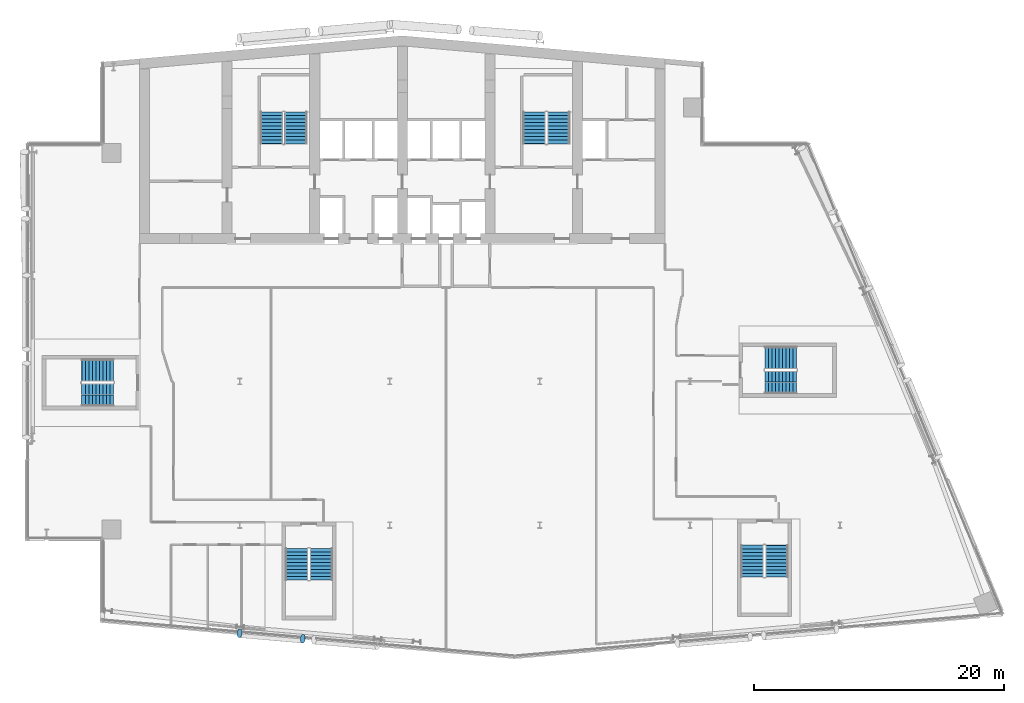
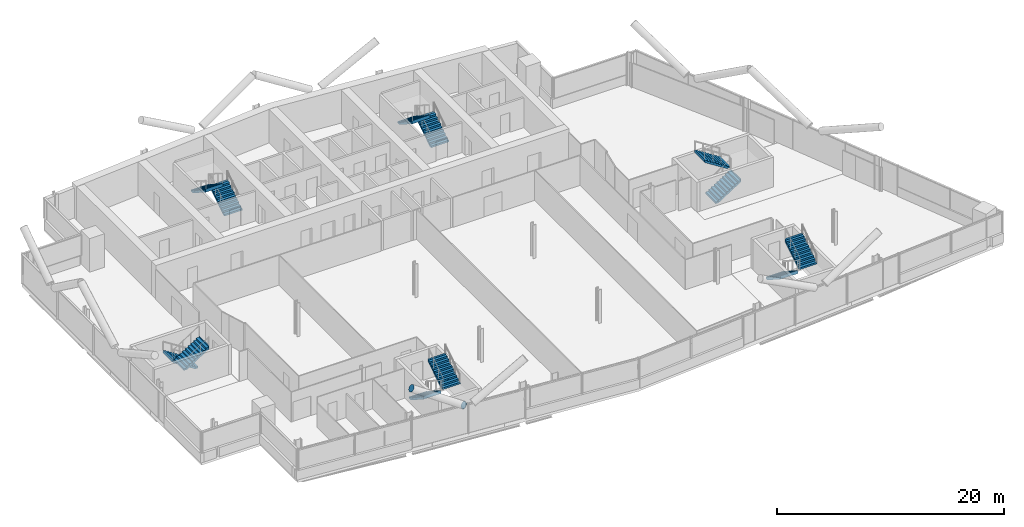
# One storey, part 19 of 26: 12 stair flights, 2 discrete accessories, 6 elements without a shape of their own.
"""IFC4 building model written with IfcOpenShell, lengths in metres."""

from ifc_helpers import new_model, si_unit, direction, frame, origin, origin_2d, place, context, subcontext, project, spatial, polyline, circle, outline, extrude, material, material_profile, profile_set, type_object, element, aggregate, save


model = new_model("IFC4")

# Units and contexts
model_context = context("Model", 3, precision=1e-05, world=origin(), true_north=direction((0.0, 1.0)))
body_context = subcontext(model_context, "Body", "Model", "MODEL_VIEW")
ifc_project = project(units=[si_unit("LENGTHUNIT", "METRE"), si_unit("AREAUNIT", "SQUARE_METRE"), si_unit("VOLUMEUNIT", "CUBIC_METRE"), si_unit("PLANEANGLEUNIT", "RADIAN"), si_unit("MASSUNIT", "GRAM", prefix="KILO")], contexts=[model_context])

# Site, building, storey
site_placement = place(None, origin())
site = spatial("IfcSite", under=ifc_project, at=site_placement, CompositionType="ELEMENT")
building_placement = place(site_placement, origin())
building = spatial("IfcBuilding", under=site, at=building_placement, Name="Wharfspan Tower", CompositionType="ELEMENT")
storey_placement = place(building_placement, frame((0.0, 0.0, 180.699951)))
storey = spatial("IfcBuildingStorey", under=building, at=storey_placement, Name="L44", CompositionType="ELEMENT", Elevation=180.699951)

# Stair, stair flights
ifc_material_1 = material(Name="Concrete C40/50", Category="concrete")
stair_type = type_object("IfcStairType", Name="Half-turn stair 20 risers 180 mm", PredefinedType="HALF_TURN_STAIR", material=ifc_material_1)
stair_1_placement = place(storey_placement, origin())
stair_1 = element("IfcStair", 1, at=stair_1_placement, inside=storey, type_object=stair_type, Name="L44 stair ST1", PredefinedType="HALF_TURN_STAIR")
stair_flight_type = type_object("IfcStairFlightType", Name="Stair flight 20 risers 180 mm", PredefinedType="STRAIGHT", material=ifc_material_1)
stair_flight_1_placement = place(storey_placement, frame((28.5, 42.0, 0.0), z_axis=(0.0, 0.0, 1.0), x_axis=(0.0, 1.0, 0.0)))
stair_flight_1 = element("IfcStairFlight", 2, at=stair_flight_1_placement, type_object=stair_flight_type, Name="ST1 flight 1", NumberOfRisers=10, NumberOfTreads=9, PredefinedType="STRAIGHT", RiserHeight=0.18, TreadLength=0.28, context=body_context, shape_type="SweptSolid", body=[
    extrude(outline(polyline([(-0.011963, 0.0), (-0.011963, 0.179932), (0.0, 0.179932), (0.280029, 0.179932), (0.280029, 0.360107), (0.560059, 0.360107), (0.560059, 0.540039), (0.840088, 0.540039), (0.840088, 0.719971), (1.120117, 0.719971), (1.120117, 0.899902), (1.399902, 0.899902), (1.399902, 1.080078), (1.679932, 1.080078), (1.679932, 1.26001), (1.959961, 1.26001), (1.959961, 1.439941), (2.23999, 1.439941), (2.23999, 1.620117), (2.52002, 1.620117), (2.531982, 1.800049), (2.531982, 1.441895), (0.2771, 0.0), (-0.011963, 0.0)])), frame((0.0, 0.899902, 0.0), z_axis=(0.0, -1.0, 0.0), x_axis=(1.0, 0.0, 0.0)), (0.0, 0.0, 1.0), 0.899414),
    extrude(outline(polyline([(-0.011963, 0.0), (-0.011963, 0.179932), (0.0, 0.179932), (0.280029, 0.179932), (0.280029, 0.360107), (0.560059, 0.360107), (0.560059, 0.540039), (0.840088, 0.540039), (0.840088, 0.719971), (1.120117, 0.719971), (1.120117, 0.899902), (1.399902, 0.899902), (1.399902, 1.080078), (1.679932, 1.080078), (1.679932, 1.26001), (1.959961, 1.26001), (1.959961, 1.439941), (2.23999, 1.439941), (2.23999, 1.620117), (2.52002, 1.620117), (2.531982, 1.800049), (2.531982, 1.441895), (0.2771, 0.0), (-0.011963, 0.0)])), frame((0.0, -0.000488, 0.0), z_axis=(0.0, -1.0, 0.0), x_axis=(1.0, 0.0, 0.0)), (0.0, 0.0, 1.0), 0.899414),
])
stair_flight_2_placement = place(storey_placement, frame((26.550049, 44.52002, 1.800049), z_axis=(0.0, 0.0, 1.0), x_axis=(0.0, -1.0, 0.0)))
stair_flight_2 = element("IfcStairFlight", 3, at=stair_flight_2_placement, type_object=stair_flight_type, Name="ST1 flight 2", NumberOfRisers=10, NumberOfTreads=9, PredefinedType="STRAIGHT", RiserHeight=0.18, TreadLength=0.28, context=body_context, shape_type="SweptSolid", body=[
    extrude(outline(polyline([(-0.011963, 0.0), (-0.011963, 0.179932), (0.0, 0.179932), (0.280029, 0.179932), (0.280029, 0.360107), (0.560059, 0.360107), (0.560059, 0.540039), (0.840088, 0.540039), (0.840088, 0.719971), (1.120117, 0.719971), (1.120117, 0.899902), (1.399902, 0.899902), (1.399902, 1.080078), (1.679932, 1.080078), (1.679932, 1.26001), (1.959961, 1.26001), (1.959961, 1.439941), (2.23999, 1.439941), (2.23999, 1.620117), (2.52002, 1.620117), (2.531982, 1.800049), (2.531982, 1.441895), (0.2771, 0.0), (-0.011963, 0.0)])), frame((0.0, 0.899902, 0.0), z_axis=(0.0, -1.0, 0.0), x_axis=(1.0, 0.0, 0.0)), (0.0, 0.0, 1.0), 0.899414),
    extrude(outline(polyline([(-0.011963, 0.0), (-0.011963, 0.179932), (0.0, 0.179932), (0.280029, 0.179932), (0.280029, 0.360107), (0.560059, 0.360107), (0.560059, 0.540039), (0.840088, 0.540039), (0.840088, 0.719971), (1.120117, 0.719971), (1.120117, 0.899902), (1.399902, 0.899902), (1.399902, 1.080078), (1.679932, 1.080078), (1.679932, 1.26001), (1.959961, 1.26001), (1.959961, 1.439941), (2.23999, 1.439941), (2.23999, 1.620117), (2.52002, 1.620117), (2.531982, 1.800049), (2.531982, 1.441895), (0.2771, 0.0), (-0.011963, 0.0)])), frame((0.0, -0.000488, 0.0), z_axis=(0.0, -1.0, 0.0), x_axis=(1.0, 0.0, 0.0)), (0.0, 0.0, 1.0), 0.899414),
])
aggregate(stair_1, [stair_flight_1, stair_flight_2])

stair_2_placement = place(storey_placement, origin())
stair_2 = element("IfcStair", 4, at=stair_2_placement, inside=storey, type_object=stair_type, Name="L44 stair ST2", PredefinedType="HALF_TURN_STAIR")
stair_flight_3_placement = place(storey_placement, frame((49.5, 42.0, 0.0), z_axis=(0.0, 0.0, 1.0), x_axis=(0.0, 1.0, 0.0)))
stair_flight_3 = element("IfcStairFlight", 5, at=stair_flight_3_placement, type_object=stair_flight_type, Name="ST2 flight 1", NumberOfRisers=10, NumberOfTreads=9, PredefinedType="STRAIGHT", RiserHeight=0.18, TreadLength=0.28, context=body_context, shape_type="SweptSolid", body=[
    extrude(outline(polyline([(-0.011963, 0.0), (-0.011963, 0.179932), (0.0, 0.179932), (0.280029, 0.179932), (0.280029, 0.360107), (0.560059, 0.360107), (0.560059, 0.540039), (0.840088, 0.540039), (0.840088, 0.719971), (1.120117, 0.719971), (1.120117, 0.899902), (1.399902, 0.899902), (1.399902, 1.080078), (1.679932, 1.080078), (1.679932, 1.26001), (1.959961, 1.26001), (1.959961, 1.439941), (2.23999, 1.439941), (2.23999, 1.620117), (2.52002, 1.620117), (2.531982, 1.800049), (2.531982, 1.441895), (0.2771, 0.0), (-0.011963, 0.0)])), frame((0.0, 0.899902, 0.0), z_axis=(0.0, -1.0, 0.0), x_axis=(1.0, 0.0, 0.0)), (0.0, 0.0, 1.0), 0.899414),
    extrude(outline(polyline([(-0.011963, 0.0), (-0.011963, 0.179932), (0.0, 0.179932), (0.280029, 0.179932), (0.280029, 0.360107), (0.560059, 0.360107), (0.560059, 0.540039), (0.840088, 0.540039), (0.840088, 0.719971), (1.120117, 0.719971), (1.120117, 0.899902), (1.399902, 0.899902), (1.399902, 1.080078), (1.679932, 1.080078), (1.679932, 1.26001), (1.959961, 1.26001), (1.959961, 1.439941), (2.23999, 1.439941), (2.23999, 1.620117), (2.52002, 1.620117), (2.531982, 1.800049), (2.531982, 1.441895), (0.2771, 0.0), (-0.011963, 0.0)])), frame((0.0, -0.000488, 0.0), z_axis=(0.0, -1.0, 0.0), x_axis=(1.0, 0.0, 0.0)), (0.0, 0.0, 1.0), 0.899414),
])
stair_flight_4_placement = place(storey_placement, frame((47.550049, 44.52002, 1.800049), z_axis=(0.0, 0.0, 1.0), x_axis=(0.0, -1.0, 0.0)))
stair_flight_4 = element("IfcStairFlight", 6, at=stair_flight_4_placement, type_object=stair_flight_type, Name="ST2 flight 2", NumberOfRisers=10, NumberOfTreads=9, PredefinedType="STRAIGHT", RiserHeight=0.18, TreadLength=0.28, context=body_context, shape_type="SweptSolid", body=[
    extrude(outline(polyline([(-0.011963, 0.0), (-0.011963, 0.179932), (0.0, 0.179932), (0.280029, 0.179932), (0.280029, 0.360107), (0.560059, 0.360107), (0.560059, 0.540039), (0.840088, 0.540039), (0.840088, 0.719971), (1.120117, 0.719971), (1.120117, 0.899902), (1.399902, 0.899902), (1.399902, 1.080078), (1.679932, 1.080078), (1.679932, 1.26001), (1.959961, 1.26001), (1.959961, 1.439941), (2.23999, 1.439941), (2.23999, 1.620117), (2.52002, 1.620117), (2.531982, 1.800049), (2.531982, 1.441895), (0.2771, 0.0), (-0.011963, 0.0)])), frame((0.0, 0.899902, 0.0), z_axis=(0.0, -1.0, 0.0), x_axis=(1.0, 0.0, 0.0)), (0.0, 0.0, 1.0), 0.899414),
    extrude(outline(polyline([(-0.011963, 0.0), (-0.011963, 0.179932), (0.0, 0.179932), (0.280029, 0.179932), (0.280029, 0.360107), (0.560059, 0.360107), (0.560059, 0.540039), (0.840088, 0.540039), (0.840088, 0.719971), (1.120117, 0.719971), (1.120117, 0.899902), (1.399902, 0.899902), (1.399902, 1.080078), (1.679932, 1.080078), (1.679932, 1.26001), (1.959961, 1.26001), (1.959961, 1.439941), (2.23999, 1.439941), (2.23999, 1.620117), (2.52002, 1.620117), (2.531982, 1.800049), (2.531982, 1.441895), (0.2771, 0.0), (-0.011963, 0.0)])), frame((0.0, -0.000488, 0.0), z_axis=(0.0, -1.0, 0.0), x_axis=(1.0, 0.0, 0.0)), (0.0, 0.0, 1.0), 0.899414),
])
aggregate(stair_2, [stair_flight_3, stair_flight_4])

stair_3_placement = place(storey_placement, origin())
stair_3 = element("IfcStair", 7, at=stair_3_placement, inside=storey, type_object=stair_type, Name="L44 stair ST3", PredefinedType="HALF_TURN_STAIR")
stair_flight_5_placement = place(storey_placement, frame((13.899902, 23.875, 0.0), z_axis=(0.0, 0.0, 1.0), x_axis=(-1.0, 0.0, 0.0)))
stair_flight_5 = element("IfcStairFlight", 8, at=stair_flight_5_placement, type_object=stair_flight_type, Name="ST3 flight 1", NumberOfRisers=10, NumberOfTreads=9, PredefinedType="STRAIGHT", RiserHeight=0.18, TreadLength=0.28, context=body_context, shape_type="SweptSolid", body=[
    extrude(outline(polyline([(-0.011963, 0.0), (-0.011963, 0.179932), (0.0, 0.179932), (0.280029, 0.179932), (0.280029, 0.360107), (0.560059, 0.360107), (0.560059, 0.540039), (0.840088, 0.540039), (0.840088, 0.719971), (1.120117, 0.719971), (1.120117, 0.899902), (1.399902, 0.899902), (1.399902, 1.080078), (1.679932, 1.080078), (1.679932, 1.26001), (1.959961, 1.26001), (1.959961, 1.439941), (2.23999, 1.439941), (2.23999, 1.620117), (2.52002, 1.620117), (2.531982, 1.800049), (2.531982, 1.441895), (0.2771, 0.0), (-0.011963, 0.0)])), frame((0.0, 0.899902, 0.0), z_axis=(0.0, -1.0, 0.0), x_axis=(1.0, 0.0, 0.0)), (0.0, 0.0, 1.0), 0.899414),
    extrude(outline(polyline([(-0.011963, 0.0), (-0.011963, 0.179932), (0.0, 0.179932), (0.280029, 0.179932), (0.280029, 0.360107), (0.560059, 0.360107), (0.560059, 0.540039), (0.840088, 0.540039), (0.840088, 0.719971), (1.120117, 0.719971), (1.120117, 0.899902), (1.399902, 0.899902), (1.399902, 1.080078), (1.679932, 1.080078), (1.679932, 1.26001), (1.959961, 1.26001), (1.959961, 1.439941), (2.23999, 1.439941), (2.23999, 1.620117), (2.52002, 1.620117), (2.531982, 1.800049), (2.531982, 1.441895), (0.2771, 0.0), (-0.011963, 0.0)])), frame((0.0, -0.000488, 0.0), z_axis=(0.0, -1.0, 0.0), x_axis=(1.0, 0.0, 0.0)), (0.0, 0.0, 1.0), 0.899414),
])
stair_flight_6_placement = place(storey_placement, frame((11.379883, 21.925049, 1.800049), z_axis=(0.0, 0.0, 1.0), x_axis=(1.0, 0.0, 0.0)))
stair_flight_6 = element("IfcStairFlight", 9, at=stair_flight_6_placement, type_object=stair_flight_type, Name="ST3 flight 2", NumberOfRisers=10, NumberOfTreads=9, PredefinedType="STRAIGHT", RiserHeight=0.18, TreadLength=0.28, context=body_context, shape_type="SweptSolid", body=[
    extrude(outline(polyline([(-0.011963, 0.0), (-0.011963, 0.179932), (0.0, 0.179932), (0.280029, 0.179932), (0.280029, 0.360107), (0.560059, 0.360107), (0.560059, 0.540039), (0.840088, 0.540039), (0.840088, 0.719971), (1.120117, 0.719971), (1.120117, 0.899902), (1.399902, 0.899902), (1.399902, 1.080078), (1.679932, 1.080078), (1.679932, 1.26001), (1.959961, 1.26001), (1.959961, 1.439941), (2.23999, 1.439941), (2.23999, 1.620117), (2.52002, 1.620117), (2.531982, 1.800049), (2.531982, 1.441895), (0.2771, 0.0), (-0.011963, 0.0)])), frame((0.0, 0.899902, 0.0), z_axis=(0.0, -1.0, 0.0), x_axis=(1.0, 0.0, 0.0)), (0.0, 0.0, 1.0), 0.899414),
    extrude(outline(polyline([(-0.011963, 0.0), (-0.011963, 0.179932), (0.0, 0.179932), (0.280029, 0.179932), (0.280029, 0.360107), (0.560059, 0.360107), (0.560059, 0.540039), (0.840088, 0.540039), (0.840088, 0.719971), (1.120117, 0.719971), (1.120117, 0.899902), (1.399902, 0.899902), (1.399902, 1.080078), (1.679932, 1.080078), (1.679932, 1.26001), (1.959961, 1.26001), (1.959961, 1.439941), (2.23999, 1.439941), (2.23999, 1.620117), (2.52002, 1.620117), (2.531982, 1.800049), (2.531982, 1.441895), (0.2771, 0.0), (-0.011963, 0.0)])), frame((0.0, -0.000488, 0.0), z_axis=(0.0, -1.0, 0.0), x_axis=(1.0, 0.0, 0.0)), (0.0, 0.0, 1.0), 0.899414),
])
aggregate(stair_3, [stair_flight_5, stair_flight_6])

stair_4_placement = place(storey_placement, origin())
stair_4 = element("IfcStair", 10, at=stair_4_placement, inside=storey, type_object=stair_type, Name="L44 stair ST4", PredefinedType="HALF_TURN_STAIR")
stair_flight_7_placement = place(storey_placement, frame((28.564209, 9.634277, 0.0), z_axis=(0.0, 0.0, 1.0), x_axis=(0.0, -1.0, 0.0)))
stair_flight_7 = element("IfcStairFlight", 11, at=stair_flight_7_placement, type_object=stair_flight_type, Name="ST4 flight 1", NumberOfRisers=10, NumberOfTreads=9, PredefinedType="STRAIGHT", RiserHeight=0.18, TreadLength=0.28, context=body_context, shape_type="SweptSolid", body=[
    extrude(outline(polyline([(-0.011963, 0.0), (-0.011963, 0.179932), (0.0, 0.179932), (0.280029, 0.179932), (0.280029, 0.360107), (0.560059, 0.360107), (0.560059, 0.540039), (0.840088, 0.540039), (0.840088, 0.719971), (1.120117, 0.719971), (1.120117, 0.899902), (1.399902, 0.899902), (1.399902, 1.080078), (1.679932, 1.080078), (1.679932, 1.26001), (1.959961, 1.26001), (1.959961, 1.439941), (2.23999, 1.439941), (2.23999, 1.620117), (2.52002, 1.620117), (2.531982, 1.800049), (2.531982, 1.441895), (0.2771, 0.0), (-0.011963, 0.0)])), frame((0.0, 0.899902, 0.0), z_axis=(0.0, -1.0, 0.0), x_axis=(1.0, 0.0, 0.0)), (0.0, 0.0, 1.0), 0.899414),
    extrude(outline(polyline([(-0.011963, 0.0), (-0.011963, 0.179932), (0.0, 0.179932), (0.280029, 0.179932), (0.280029, 0.360107), (0.560059, 0.360107), (0.560059, 0.540039), (0.840088, 0.540039), (0.840088, 0.719971), (1.120117, 0.719971), (1.120117, 0.899902), (1.399902, 0.899902), (1.399902, 1.080078), (1.679932, 1.080078), (1.679932, 1.26001), (1.959961, 1.26001), (1.959961, 1.439941), (2.23999, 1.439941), (2.23999, 1.620117), (2.52002, 1.620117), (2.531982, 1.800049), (2.531982, 1.441895), (0.2771, 0.0), (-0.011963, 0.0)])), frame((0.0, -0.000488, 0.0), z_axis=(0.0, -1.0, 0.0), x_axis=(1.0, 0.0, 0.0)), (0.0, 0.0, 1.0), 0.899414),
])
stair_flight_8_placement = place(storey_placement, frame((30.51416, 7.114258, 1.800049), z_axis=(0.0, 0.0, 1.0), x_axis=(0.0, 1.0, 0.0)))
stair_flight_8 = element("IfcStairFlight", 12, at=stair_flight_8_placement, type_object=stair_flight_type, Name="ST4 flight 2", NumberOfRisers=10, NumberOfTreads=9, PredefinedType="STRAIGHT", RiserHeight=0.18, TreadLength=0.28, context=body_context, shape_type="SweptSolid", body=[
    extrude(outline(polyline([(-0.011963, 0.0), (-0.011963, 0.179932), (0.0, 0.179932), (0.280029, 0.179932), (0.280029, 0.360107), (0.560059, 0.360107), (0.560059, 0.540039), (0.840088, 0.540039), (0.840088, 0.719971), (1.120117, 0.719971), (1.120117, 0.899902), (1.399902, 0.899902), (1.399902, 1.080078), (1.679932, 1.080078), (1.679932, 1.26001), (1.959961, 1.26001), (1.959961, 1.439941), (2.23999, 1.439941), (2.23999, 1.620117), (2.52002, 1.620117), (2.531982, 1.800049), (2.531982, 1.441895), (0.2771, 0.0), (-0.011963, 0.0)])), frame((0.0, 0.899902, 0.0), z_axis=(0.0, -1.0, 0.0), x_axis=(1.0, 0.0, 0.0)), (0.0, 0.0, 1.0), 0.899414),
    extrude(outline(polyline([(-0.011963, 0.0), (-0.011963, 0.179932), (0.0, 0.179932), (0.280029, 0.179932), (0.280029, 0.360107), (0.560059, 0.360107), (0.560059, 0.540039), (0.840088, 0.540039), (0.840088, 0.719971), (1.120117, 0.719971), (1.120117, 0.899902), (1.399902, 0.899902), (1.399902, 1.080078), (1.679932, 1.080078), (1.679932, 1.26001), (1.959961, 1.26001), (1.959961, 1.439941), (2.23999, 1.439941), (2.23999, 1.620117), (2.52002, 1.620117), (2.531982, 1.800049), (2.531982, 1.441895), (0.2771, 0.0), (-0.011963, 0.0)])), frame((0.0, -0.000488, 0.0), z_axis=(0.0, -1.0, 0.0), x_axis=(1.0, 0.0, 0.0)), (0.0, 0.0, 1.0), 0.899414),
])
aggregate(stair_4, [stair_flight_7, stair_flight_8])

stair_5_placement = place(storey_placement, origin())
stair_5 = element("IfcStair", 13, at=stair_5_placement, inside=storey, type_object=stair_type, Name="L44 stair ST5", PredefinedType="HALF_TURN_STAIR")
stair_flight_9_placement = place(storey_placement, frame((64.986328, 9.883789, 0.0), z_axis=(0.0, 0.0, 1.0), x_axis=(0.0, -1.0, 0.0)))
stair_flight_9 = element("IfcStairFlight", 14, at=stair_flight_9_placement, type_object=stair_flight_type, Name="ST5 flight 1", NumberOfRisers=10, NumberOfTreads=9, PredefinedType="STRAIGHT", RiserHeight=0.18, TreadLength=0.28, context=body_context, shape_type="SweptSolid", body=[
    extrude(outline(polyline([(-0.011963, 0.0), (-0.011963, 0.179932), (0.0, 0.179932), (0.280029, 0.179932), (0.280029, 0.360107), (0.560059, 0.360107), (0.560059, 0.540039), (0.840088, 0.540039), (0.840088, 0.719971), (1.120117, 0.719971), (1.120117, 0.899902), (1.399902, 0.899902), (1.399902, 1.080078), (1.679932, 1.080078), (1.679932, 1.26001), (1.959961, 1.26001), (1.959961, 1.439941), (2.23999, 1.439941), (2.23999, 1.620117), (2.52002, 1.620117), (2.531982, 1.800049), (2.531982, 1.441895), (0.2771, 0.0), (-0.011963, 0.0)])), frame((0.0, 0.899902, 0.0), z_axis=(0.0, -1.0, 0.0), x_axis=(1.0, 0.0, 0.0)), (0.0, 0.0, 1.0), 0.899414),
    extrude(outline(polyline([(-0.011963, 0.0), (-0.011963, 0.179932), (0.0, 0.179932), (0.280029, 0.179932), (0.280029, 0.360107), (0.560059, 0.360107), (0.560059, 0.540039), (0.840088, 0.540039), (0.840088, 0.719971), (1.120117, 0.719971), (1.120117, 0.899902), (1.399902, 0.899902), (1.399902, 1.080078), (1.679932, 1.080078), (1.679932, 1.26001), (1.959961, 1.26001), (1.959961, 1.439941), (2.23999, 1.439941), (2.23999, 1.620117), (2.52002, 1.620117), (2.531982, 1.800049), (2.531982, 1.441895), (0.2771, 0.0), (-0.011963, 0.0)])), frame((0.0, -0.000488, 0.0), z_axis=(0.0, -1.0, 0.0), x_axis=(1.0, 0.0, 0.0)), (0.0, 0.0, 1.0), 0.899414),
])
stair_flight_10_placement = place(storey_placement, frame((66.936279, 7.36377, 1.800049), z_axis=(0.0, 0.0, 1.0), x_axis=(0.0, 1.0, 0.0)))
stair_flight_10 = element("IfcStairFlight", 15, at=stair_flight_10_placement, type_object=stair_flight_type, Name="ST5 flight 2", NumberOfRisers=10, NumberOfTreads=9, PredefinedType="STRAIGHT", RiserHeight=0.18, TreadLength=0.28, context=body_context, shape_type="SweptSolid", body=[
    extrude(outline(polyline([(-0.011963, 0.0), (-0.011963, 0.179932), (0.0, 0.179932), (0.280029, 0.179932), (0.280029, 0.360107), (0.560059, 0.360107), (0.560059, 0.540039), (0.840088, 0.540039), (0.840088, 0.719971), (1.120117, 0.719971), (1.120117, 0.899902), (1.399902, 0.899902), (1.399902, 1.080078), (1.679932, 1.080078), (1.679932, 1.26001), (1.959961, 1.26001), (1.959961, 1.439941), (2.23999, 1.439941), (2.23999, 1.620117), (2.52002, 1.620117), (2.531982, 1.800049), (2.531982, 1.441895), (0.2771, 0.0), (-0.011963, 0.0)])), frame((0.0, 0.899902, 0.0), z_axis=(0.0, -1.0, 0.0), x_axis=(1.0, 0.0, 0.0)), (0.0, 0.0, 1.0), 0.899414),
    extrude(outline(polyline([(-0.011963, 0.0), (-0.011963, 0.179932), (0.0, 0.179932), (0.280029, 0.179932), (0.280029, 0.360107), (0.560059, 0.360107), (0.560059, 0.540039), (0.840088, 0.540039), (0.840088, 0.719971), (1.120117, 0.719971), (1.120117, 0.899902), (1.399902, 0.899902), (1.399902, 1.080078), (1.679932, 1.080078), (1.679932, 1.26001), (1.959961, 1.26001), (1.959961, 1.439941), (2.23999, 1.439941), (2.23999, 1.620117), (2.52002, 1.620117), (2.531982, 1.800049), (2.531982, 1.441895), (0.2771, 0.0), (-0.011963, 0.0)])), frame((0.0, -0.000488, 0.0), z_axis=(0.0, -1.0, 0.0), x_axis=(1.0, 0.0, 0.0)), (0.0, 0.0, 1.0), 0.899414),
])
aggregate(stair_5, [stair_flight_9, stair_flight_10])

stair_6_placement = place(storey_placement, origin())
stair_6 = element("IfcStair", 16, at=stair_6_placement, inside=storey, type_object=stair_type, Name="L44 stair ST6", PredefinedType="HALF_TURN_STAIR")
stair_flight_11_placement = place(storey_placement, frame((66.004639, 22.925049, 0.0), z_axis=(0.0, 0.0, 1.0), x_axis=(1.0, 0.0, 0.0)))
stair_flight_11 = element("IfcStairFlight", 17, at=stair_flight_11_placement, type_object=stair_flight_type, Name="ST6 flight 1", NumberOfRisers=10, NumberOfTreads=9, PredefinedType="STRAIGHT", RiserHeight=0.18, TreadLength=0.28, context=body_context, shape_type="SweptSolid", body=[
    extrude(outline(polyline([(-0.011963, 0.0), (-0.011963, 0.179932), (0.0, 0.179932), (0.280029, 0.179932), (0.280029, 0.360107), (0.560059, 0.360107), (0.560059, 0.540039), (0.840088, 0.540039), (0.840088, 0.719971), (1.120117, 0.719971), (1.120117, 0.899902), (1.399902, 0.899902), (1.399902, 1.080078), (1.679932, 1.080078), (1.679932, 1.26001), (1.959961, 1.26001), (1.959961, 1.439941), (2.23999, 1.439941), (2.23999, 1.620117), (2.52002, 1.620117), (2.531982, 1.800049), (2.531982, 1.441895), (0.2771, 0.0), (-0.011963, 0.0)])), frame((0.0, 0.899902, 0.0), z_axis=(0.0, -1.0, 0.0), x_axis=(1.0, 0.0, 0.0)), (0.0, 0.0, 1.0), 0.899414),
    extrude(outline(polyline([(-0.011963, 0.0), (-0.011963, 0.179932), (0.0, 0.179932), (0.280029, 0.179932), (0.280029, 0.360107), (0.560059, 0.360107), (0.560059, 0.540039), (0.840088, 0.540039), (0.840088, 0.719971), (1.120117, 0.719971), (1.120117, 0.899902), (1.399902, 0.899902), (1.399902, 1.080078), (1.679932, 1.080078), (1.679932, 1.26001), (1.959961, 1.26001), (1.959961, 1.439941), (2.23999, 1.439941), (2.23999, 1.620117), (2.52002, 1.620117), (2.531982, 1.800049), (2.531982, 1.441895), (0.2771, 0.0), (-0.011963, 0.0)])), frame((0.0, -0.000488, 0.0), z_axis=(0.0, -1.0, 0.0), x_axis=(1.0, 0.0, 0.0)), (0.0, 0.0, 1.0), 0.899414),
])
stair_flight_12_placement = place(storey_placement, frame((68.524658, 24.875, 1.800049), z_axis=(0.0, 0.0, 1.0), x_axis=(-1.0, 0.0, 0.0)))
stair_flight_12 = element("IfcStairFlight", 18, at=stair_flight_12_placement, type_object=stair_flight_type, Name="ST6 flight 2", NumberOfRisers=10, NumberOfTreads=9, PredefinedType="STRAIGHT", RiserHeight=0.18, TreadLength=0.28, context=body_context, shape_type="SweptSolid", body=[
    extrude(outline(polyline([(-0.011963, 0.0), (-0.011963, 0.179932), (0.0, 0.179932), (0.280029, 0.179932), (0.280029, 0.360107), (0.560059, 0.360107), (0.560059, 0.540039), (0.840088, 0.540039), (0.840088, 0.719971), (1.120117, 0.719971), (1.120117, 0.899902), (1.399902, 0.899902), (1.399902, 1.080078), (1.679932, 1.080078), (1.679932, 1.26001), (1.959961, 1.26001), (1.959961, 1.439941), (2.23999, 1.439941), (2.23999, 1.620117), (2.52002, 1.620117), (2.531982, 1.800049), (2.531982, 1.441895), (0.2771, 0.0), (-0.011963, 0.0)])), frame((0.0, 0.899902, 0.0), z_axis=(0.0, -1.0, 0.0), x_axis=(1.0, 0.0, 0.0)), (0.0, 0.0, 1.0), 0.899414),
    extrude(outline(polyline([(-0.011963, 0.0), (-0.011963, 0.179932), (0.0, 0.179932), (0.280029, 0.179932), (0.280029, 0.360107), (0.560059, 0.360107), (0.560059, 0.540039), (0.840088, 0.540039), (0.840088, 0.719971), (1.120117, 0.719971), (1.120117, 0.899902), (1.399902, 0.899902), (1.399902, 1.080078), (1.679932, 1.080078), (1.679932, 1.26001), (1.959961, 1.26001), (1.959961, 1.439941), (2.23999, 1.439941), (2.23999, 1.620117), (2.52002, 1.620117), (2.531982, 1.800049), (2.531982, 1.441895), (0.2771, 0.0), (-0.011963, 0.0)])), frame((0.0, -0.000488, 0.0), z_axis=(0.0, -1.0, 0.0), x_axis=(1.0, 0.0, 0.0)), (0.0, 0.0, 1.0), 0.899414),
])
aggregate(stair_6, [stair_flight_11, stair_flight_12])

# Discrete accessories
ifc_material_2 = material(Name="Steel S460NH", Category="steel")
ifc_material_profile = material_profile(ifc_material_2, circle(Radius=0.355469, at=origin_2d()))
ifc_profile_set = profile_set([ifc_material_profile], Name="Steel S460NH")
discrete_accessory_type = type_object("IfcDiscreteAccessoryType", Name="End plate CHS 711x36", PredefinedType="BRACKET", material=ifc_profile_set)
for number, where, z_axis, x_axis, name in (
    (19, (29.051758, 2.415527, 3.19043), (-0.844416, 0.072379, 0.530776), (-0.085402, -0.99635, 0.0), "End plate CHS 711x36"),
    (20, (23.995117, 2.85791, 6.5), (-0.82608, 0.072889, 0.558819), (-0.087894, -0.99613, -1e-06), "End plate CHS 711x36"),
):
    element("IfcDiscreteAccessory", number, at=place(storey_placement, frame(where, z_axis=z_axis, x_axis=x_axis)), inside=storey, type_object=discrete_accessory_type, Name=name, PredefinedType="BRACKET", context=body_context, shape_type="SweptSolid", body=[
        extrude(circle(Radius=0.355469, at=origin_2d()), origin(), (0.0, 0.0, 1.0), 0.01001),
    ])

save(model, "model.ifc")
